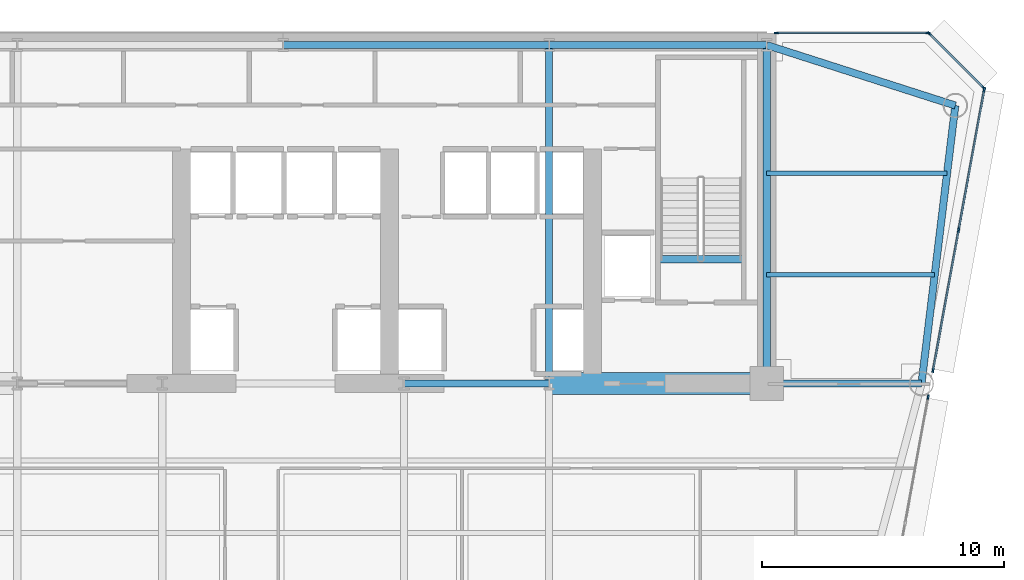
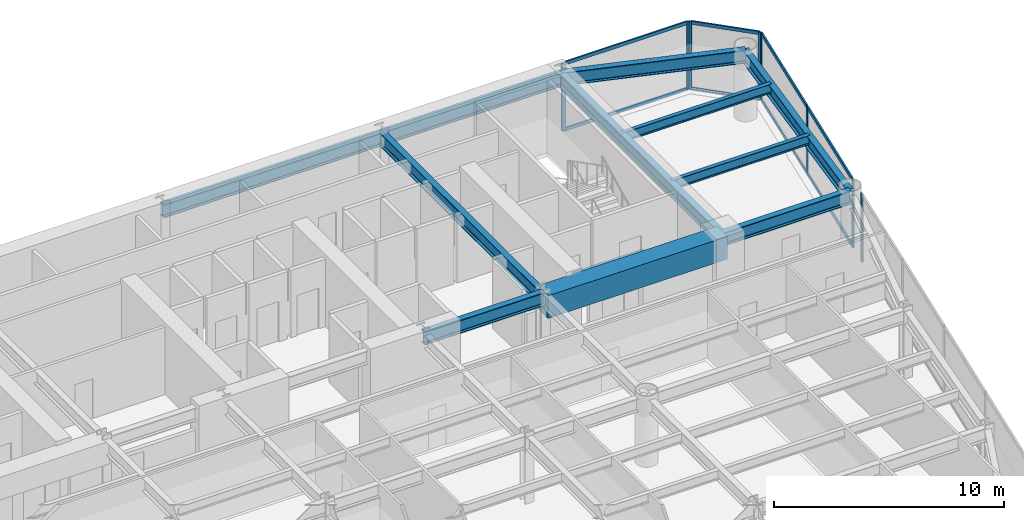
# One storey, part 6 of 14: 16 members, 12 beams, 4 elements without a shape of their own.
"""IFC4 building model written with IfcOpenShell, lengths in metres."""

from ifc_helpers import new_model, si_unit, direction, frame, origin, origin_2d, place, context, subcontext, project, spatial, rectangle, i_section, extrude, source, transform, mapped, material, layer, layer_set, material_profile, profile_set, type_object, element, aggregate, save


model = new_model("IFC4")

# Units and contexts
model_context = context("Model", 3, precision=1e-05, world=origin(), true_north=direction((0.0, 1.0)))
body_context = subcontext(model_context, "Body", "Model", "MODEL_VIEW")
ifc_project = project(units=[si_unit("LENGTHUNIT", "METRE"), si_unit("AREAUNIT", "SQUARE_METRE"), si_unit("VOLUMEUNIT", "CUBIC_METRE"), si_unit("PLANEANGLEUNIT", "RADIAN"), si_unit("MASSUNIT", "GRAM", prefix="KILO")], contexts=[model_context])

# Site, building, storey
site_placement = place(None, origin())
site = spatial("IfcSite", under=ifc_project, at=site_placement, CompositionType="ELEMENT")
building_placement = place(site_placement, origin())
building = spatial("IfcBuilding", under=site, at=building_placement, Name="Vaeldorn Concourse Tower", CompositionType="ELEMENT")
storey_placement = place(building_placement, frame((0.0, 0.0, 111.0)))
storey = spatial("IfcBuildingStorey", under=building, at=storey_placement, Name="L28", CompositionType="ELEMENT", Elevation=111.0)

# Beams
ifc_material_1 = material(Name="Concrete C60/75", Category="concrete")
ifc_material_profile_1 = material_profile(ifc_material_1, rectangle(XDim=0.89990234375, YDim=1.199951171875, at=origin_2d()), Name="RC 900x1200")
ifc_profile_set_1 = profile_set([ifc_material_profile_1], Name="Concrete C60/75")
beam_type_1 = type_object("IfcBeamType", Name="BM-CB-RC900", PredefinedType="BEAM", material=ifc_profile_set_1)
shared_shape_1 = source(origin(), body_context, "Body", "SweptSolid", [
    extrude(rectangle(XDim=0.89990234375, YDim=1.199951171875, at=origin_2d()), origin(), (0.0, 0.0, 1.0), 9.0),
])
beam_1_placement = place(storey_placement, frame((45.0, 36.5, 2.97998046875), z_axis=(1.0, 0.0, 0.0), x_axis=(0.0, 1.0, 0.0)))
element("IfcBeam", 1, at=beam_1_placement, inside=storey, type_object=beam_type_1, Name="Core Coupling Beam L28-2", PredefinedType="BEAM", context=body_context, shape_type="MappedRepresentation", body=[
    mapped(shared_shape_1, transform((0.0, 0.0, 0.0), scale=1.0)),
])
ifc_material_2 = material(Name="Steel S355", Category="steel")
ifc_material_profile_2 = material_profile(ifc_material_2, i_section(OverallWidth=0.300048828125, OverallDepth=0.340087890625, WebThickness=0.011962890625, FlangeThickness=0.021484375, FilletRadius=0.027099609375, at=origin_2d()), Name="HEB 340")
ifc_profile_set_2 = profile_set([ifc_material_profile_2], Name="Steel S355")
beam_type_2 = type_object("IfcBeamType", Name="BM-ST-TRIM", PredefinedType="BEAM", material=ifc_profile_set_2)
shared_shape_2 = source(origin(), body_context, "Body", "SweptSolid", [
    extrude(i_section(OverallWidth=0.300048828125, OverallDepth=0.340087890625, WebThickness=0.011962890625, FlangeThickness=0.021484375, FilletRadius=0.027099609375, at=origin_2d()), origin(), (0.0, 0.0, 1.0), 3.590087890625),
])
beam_2_placement = place(storey_placement, frame((49.47998046875, 41.639892578125, -0.389892578125), z_axis=(1.0, 0.0, 0.0), x_axis=(0.0, 1.0, 0.0)))
element("IfcBeam", 2, at=beam_2_placement, inside=storey, type_object=beam_type_2, Name="Stair Landing Trimmer Beam ST-2 L28", PredefinedType="BEAM", context=body_context, shape_type="MappedRepresentation", body=[
    mapped(shared_shape_2, transform((0.0, 0.0, 0.0), scale=1.0)),
])
ifc_material_profile_3 = material_profile(ifc_material_2, i_section(OverallWidth=0.199951171875, OverallDepth=0.5, WebThickness=0.01025390625, FlangeThickness=0.01611328125, FilletRadius=0.02099609375, at=origin_2d()), Name="IPE 500")
ifc_profile_set_3 = profile_set([ifc_material_profile_3], Name="Steel S355")
beam_type_3 = type_object("IfcBeamType", Name="BM-JS-IPE500", PredefinedType="JOIST", material=ifc_profile_set_3)
shared_shape_3 = source(origin(), body_context, "Body", "SweptSolid", [
    extrude(i_section(OverallWidth=0.199951171875, OverallDepth=0.5, WebThickness=0.01025390625, FlangeThickness=0.01611328125, FilletRadius=0.02099609375, at=origin_2d()), origin(), (0.0, 0.0, 1.0), 6.94775390625),
])
beam_3_placement = place(storey_placement, frame((54.0, 41.0, 3.330078125), z_axis=(1.0, 0.0, 0.0), x_axis=(0.0, 1.0, 0.0)))
element("IfcBeam", 3, at=beam_3_placement, inside=storey, type_object=beam_type_3, Name="Beam JS-L28-NE-410", PredefinedType="JOIST", context=body_context, shape_type="MappedRepresentation", body=[
    mapped(shared_shape_3, transform((0.0, 0.0, 0.0), scale=1.0)),
])
shared_shape_4 = source(origin(), body_context, "Body", "SweptSolid", [
    extrude(i_section(OverallWidth=0.199951171875, OverallDepth=0.5, WebThickness=0.01025390625, FlangeThickness=0.01611328125, FilletRadius=0.02099609375, at=origin_2d()), origin(), (0.0, 0.0, 1.0), 7.458984375),
])
beam_4_placement = place(storey_placement, frame((54.0, 45.199951171875, 3.330078125), z_axis=(1.0, 0.0, 0.0), x_axis=(0.0, 1.0, 0.0)))
element("IfcBeam", 4, at=beam_4_placement, inside=storey, type_object=beam_type_3, Name="Beam JS-L28-NE-452", PredefinedType="JOIST", context=body_context, shape_type="MappedRepresentation", body=[
    mapped(shared_shape_4, transform((0.0, 0.0, 0.0), scale=1.0)),
])
ifc_material_profile_4 = material_profile(ifc_material_2, i_section(OverallWidth=0.300048828125, OverallDepth=0.699951171875, WebThickness=0.01708984375, FlangeThickness=0.031982421875, FilletRadius=0.027099609375, at=origin_2d()), Name="HEB 700")
ifc_profile_set_4 = profile_set([ifc_material_profile_4], Name="Steel S355")
beam_type_4 = type_object("IfcBeamType", Name="BM-PG-HEB700", PredefinedType="BEAM", material=ifc_profile_set_4)
shared_shape_5 = source(origin(), body_context, "Body", "SweptSolid", [
    extrude(i_section(OverallWidth=0.300048828125, OverallDepth=0.699951171875, WebThickness=0.01708984375, FlangeThickness=0.031982421875, FilletRadius=0.027099609375, at=origin_2d()), origin(), (0.0, 0.0, 1.0), 6.0),
])
beam_5_placement = place(storey_placement, frame((39.0, 36.5, 3.22998046875), z_axis=(1.0, 0.0, 0.0), x_axis=(0.0, 1.0, 0.0)))
element("IfcBeam", 5, at=beam_5_placement, inside=storey, type_object=beam_type_4, Name="Beam BM-L28-C-FC4-C-FC5", PredefinedType="BEAM", context=body_context, shape_type="MappedRepresentation", body=[
    mapped(shared_shape_5, transform((0.0, 0.0, 0.0), scale=1.0)),
])
shared_shape_6 = source(origin(), body_context, "Body", "SweptSolid", [
    extrude(i_section(OverallWidth=0.300048828125, OverallDepth=0.699951171875, WebThickness=0.01708984375, FlangeThickness=0.031982421875, FilletRadius=0.027099609375, at=origin_2d()), origin(), (0.0, 0.0, 1.0), 9.0),
])
beam_6_placement = place(storey_placement, frame((45.0, 50.5, 3.22998046875), z_axis=(1.0, 0.0, 0.0), x_axis=(0.0, 1.0, 0.0)))
element("IfcBeam", 6, at=beam_6_placement, inside=storey, type_object=beam_type_4, Name="Beam BM-L28-C-HC4-C-HC5", PredefinedType="BEAM", context=body_context, shape_type="MappedRepresentation", body=[
    mapped(shared_shape_6, transform((0.0, 0.0, 0.0), scale=1.0)),
])
shared_shape_7 = source(origin(), body_context, "Body", "SweptSolid", [
    extrude(i_section(OverallWidth=0.300048828125, OverallDepth=0.699951171875, WebThickness=0.01708984375, FlangeThickness=0.031982421875, FilletRadius=0.027099609375, at=origin_2d()), origin(), (0.0, 0.0, 1.0), 11.0),
])
beam_7_placement = place(storey_placement, frame((34.0, 50.5, 3.22998046875), z_axis=(1.0, 0.0, 0.0), x_axis=(0.0, 1.0, 0.0)))
element("IfcBeam", 7, at=beam_7_placement, inside=storey, type_object=beam_type_4, Name="Beam BM-L28-C-HC3-C-HC4", PredefinedType="BEAM", context=body_context, shape_type="MappedRepresentation", body=[
    mapped(shared_shape_7, transform((0.0, 0.0, 0.0), scale=1.0)),
])
shared_shape_8 = source(origin(), body_context, "Body", "SweptSolid", [
    extrude(i_section(OverallWidth=0.300048828125, OverallDepth=0.699951171875, WebThickness=0.01708984375, FlangeThickness=0.031982421875, FilletRadius=0.027099609375, at=origin_2d()), origin(), (0.0, 0.0, 1.0), 14.0),
])
for number, where, z_axis, x_axis, name in (
    (8, (45.0, 36.5, 3.22998046875), (0.0, 1.0, 0.0), (-1.0, 0.0, 0.0), "Beam BM-L28-C-FC5-C-HC4"),
    (9, (54.0, 36.5, 3.22998046875), (0.0, 1.0, 0.0), (-1.0, 0.0, 0.0), "Beam BM-L28-C-FC6-C-HC5"),
):
    element("IfcBeam", number, at=place(storey_placement, frame(where, z_axis=z_axis, x_axis=x_axis)), inside=storey, type_object=beam_type_4, Name=name, PredefinedType="BEAM", context=body_context, shape_type="MappedRepresentation", body=[
        mapped(shared_shape_8, transform((0.0, 0.0, 0.0), scale=1.0)),
    ])
shared_shape_9 = source(origin(), body_context, "Body", "SweptSolid", [
    extrude(i_section(OverallWidth=0.300048828125, OverallDepth=0.699951171875, WebThickness=0.01708984375, FlangeThickness=0.031982421875, FilletRadius=0.027099609375, at=origin_2d()), origin(), (0.0, 0.0, 1.0), 8.19091796875),
])
beam_8_placement = place(storey_placement, frame((54.0, 50.5, 3.22998046875), z_axis=(0.952282843383, -0.305216949396, 0.0), x_axis=(0.305216949396, 0.952282843383, 0.0)))
element("IfcBeam", 10, at=beam_8_placement, inside=storey, type_object=beam_type_4, Name="Beam BM-L28-C-HC5-C-NE1", PredefinedType="BEAM", context=body_context, shape_type="MappedRepresentation", body=[
    mapped(shared_shape_9, transform((0.0, 0.0, 0.0), scale=1.0)),
])
shared_shape_10 = source(origin(), body_context, "Body", "SweptSolid", [
    extrude(i_section(OverallWidth=0.300048828125, OverallDepth=0.699951171875, WebThickness=0.01708984375, FlangeThickness=0.031982421875, FilletRadius=0.027099609375, at=origin_2d()), origin(), (0.0, 0.0, 1.0), 11.5849609375),
])
beam_9_placement = place(storey_placement, frame((61.800048828125, 48.0, 3.22998046875), z_axis=(-0.120859382899, -0.992669637677, 0.0), x_axis=(0.992669637677, -0.120859382899, 0.0)))
element("IfcBeam", 11, at=beam_9_placement, inside=storey, type_object=beam_type_4, Name="Beam BM-L28-C-NE1-C-NE2", PredefinedType="BEAM", context=body_context, shape_type="MappedRepresentation", body=[
    mapped(shared_shape_10, transform((0.0, 0.0, 0.0), scale=1.0)),
])
shared_shape_11 = source(origin(), body_context, "Body", "SweptSolid", [
    extrude(i_section(OverallWidth=0.300048828125, OverallDepth=0.699951171875, WebThickness=0.01708984375, FlangeThickness=0.031982421875, FilletRadius=0.027099609375, at=origin_2d()), origin(), (0.0, 0.0, 1.0), 6.39990234375),
])
beam_10_placement = place(storey_placement, frame((54.0, 36.5, 3.22998046875), z_axis=(1.0, 0.0, 0.0), x_axis=(0.0, 1.0, 0.0)))
element("IfcBeam", 12, at=beam_10_placement, inside=storey, type_object=beam_type_4, Name="Beam BM-L28-C-FC6-C-NE2", PredefinedType="BEAM", context=body_context, shape_type="MappedRepresentation", body=[
    mapped(shared_shape_11, transform((0.0, 0.0, 0.0), scale=1.0)),
])

# Curtain wall, members
ifc_material_3 = material(Name="Anodised Bronze Aluminium", Category="aluminium")
ifc_layer = layer(ifc_material_3, 0.199951171875)
ifc_layer_set = layer_set([ifc_layer], Name="Anodised Bronze Aluminium")
curtain_wall_type = type_object("IfcCurtainWallType", Name="CW-SYS-02", PredefinedType="NOTDEFINED", material=ifc_layer_set)
curtain_wall_1_placement = place(storey_placement, origin())
curtain_wall_1 = element("IfcCurtainWall", 13, at=curtain_wall_1_placement, inside=storey, type_object=curtain_wall_type, Name="Unitised Curtain Wall CW-L28-E08-1", PredefinedType="NOTDEFINED")
ifc_material_profile_5 = material_profile(ifc_material_3, rectangle(XDim=0.074951171875, YDim=0.179931640625, at=origin_2d()), Name="CWT 75x180")
ifc_profile_set_5 = profile_set([ifc_material_profile_5], Name="Anodised Bronze Aluminium")
member_type_1 = type_object("IfcMemberType", Name="CWT-BRONZE-180", PredefinedType="USERDEFINED", material=ifc_profile_set_5)
shared_shape_12 = source(origin(), body_context, "Body", "SweptSolid", [
    extrude(rectangle(XDim=0.074951171875, YDim=0.179931640625, at=origin_2d()), origin(), (0.0, 0.0, 1.0), 3.10302734375),
])
member_1_placement = place(storey_placement, frame((62.947021484375, 48.7529296875, 0.03759765625), z_axis=(-0.707106781187, 0.707106781187, 0.0), x_axis=(-0.707106781187, -0.707106781187, 0.0)))
member_1 = element("IfcMember", 14, at=member_1_placement, type_object=member_type_1, Name="CW-02 transom 1.1", ObjectType="TRANSOM", PredefinedType="USERDEFINED", context=body_context, shape_type="MappedRepresentation", body=[
    mapped(shared_shape_12, transform((0.0, 0.0, 0.0), scale=1.0)),
])
member_2_placement = place(storey_placement, frame((62.947021484375, 48.7529296875, 3.54248046875), z_axis=(-0.707106781187, 0.707106781187, 0.0), x_axis=(-0.707106781187, -0.707106781187, 0.0)))
member_2 = element("IfcMember", 15, at=member_2_placement, type_object=member_type_1, Name="CW-02 transom 1.2", ObjectType="TRANSOM", PredefinedType="USERDEFINED", context=body_context, shape_type="MappedRepresentation", body=[
    mapped(shared_shape_12, transform((0.0, 0.0, 0.0), scale=1.0)),
])

# Curtain wall, member
curtain_wall_2_placement = place(storey_placement, origin())
curtain_wall_2 = element("IfcCurtainWall", 16, at=curtain_wall_2_placement, inside=storey, type_object=curtain_wall_type, Name="Unitised Curtain Wall CW-L28-E07-1", PredefinedType="NOTDEFINED")
ifc_material_profile_6 = material_profile(ifc_material_3, rectangle(XDim=0.074951171875, YDim=0.18994140625, at=origin_2d()), Name="CWM 75x190")
ifc_profile_set_6 = profile_set([ifc_material_profile_6], Name="Anodised Bronze Aluminium")
member_type_2 = type_object("IfcMemberType", Name="CWM-BRONZE-190", PredefinedType="MULLION", material=ifc_profile_set_6)
shared_shape_13 = source(origin(), body_context, "Body", "SweptSolid", [
    extrude(rectangle(XDim=0.074951171875, YDim=0.18994140625, at=origin_2d()), origin(), (0.0, 0.0, 1.0), 3.580078125),
])
member_3_placement = place(storey_placement, frame((60.6767578125, 35.945068359375, 0.0), z_axis=(0.0, 0.0, 1.0), x_axis=(-0.983811547347, 0.179206136352, 0.0)))
member_3 = element("IfcMember", 17, at=member_3_placement, type_object=member_type_2, Name="CW-02 mullion 7", PredefinedType="MULLION", context=body_context, shape_type="MappedRepresentation", body=[
    mapped(shared_shape_13, transform((0.0, 0.0, 0.0), scale=1.0)),
])
aggregate(curtain_wall_2, [member_3])

# Curtain wall, members
curtain_wall_3_placement = place(storey_placement, origin())
curtain_wall_3 = element("IfcCurtainWall", 18, at=curtain_wall_3_placement, inside=storey, type_object=curtain_wall_type, Name="Unitised Curtain Wall CW-L28-E07-2", PredefinedType="NOTDEFINED")
member_4_placement = place(storey_placement, frame((60.87890625, 37.054931640625, 0.0), z_axis=(0.0, 0.0, 1.0), x_axis=(-0.983812052826, 0.179203361335, 0.0)))
member_4 = element("IfcMember", 19, at=member_4_placement, type_object=member_type_2, Name="CW-02 mullion 1", PredefinedType="MULLION", context=body_context, shape_type="MappedRepresentation", body=[
    mapped(shared_shape_13, transform((0.0, 0.0, 0.0), scale=1.0)),
])
member_5_placement = place(storey_placement, frame((61.93603515625, 42.85888671875, 0.0), z_axis=(0.0, 0.0, 1.0), x_axis=(-0.983812052826, 0.179203361335, 0.0)))
member_5 = element("IfcMember", 20, at=member_5_placement, type_object=member_type_2, Name="CW-02 mullion 2", PredefinedType="MULLION", context=body_context, shape_type="MappedRepresentation", body=[
    mapped(shared_shape_13, transform((0.0, 0.0, 0.0), scale=1.0)),
])
member_6_placement = place(storey_placement, frame((62.9931640625, 48.6630859375, 0.0), z_axis=(0.0, 0.0, 1.0), x_axis=(-0.983812052826, 0.179203361335, 0.0)))
member_6 = element("IfcMember", 21, at=member_6_placement, type_object=member_type_2, Name="CW-02 mullion 3", PredefinedType="MULLION", context=body_context, shape_type="MappedRepresentation", body=[
    mapped(shared_shape_13, transform((0.0, 0.0, 0.0), scale=1.0)),
])

# Member
member_7_placement = place(storey_placement, frame((62.973388671875, 48.7265625, 0.0), z_axis=(0.0, 0.0, 1.0), x_axis=(-0.707106781187, -0.707106781187, 0.0)))
member_7 = element("IfcMember", 22, at=member_7_placement, type_object=member_type_2, Name="CW-02 mullion 1", PredefinedType="MULLION", context=body_context, shape_type="MappedRepresentation", body=[
    mapped(shared_shape_13, transform((0.0, 0.0, 0.0), scale=1.0)),
])

member_8_placement = place(storey_placement, frame((60.7265625, 50.973388671875, 0.0), z_axis=(0.0, 0.0, 1.0), x_axis=(-0.707106781187, -0.707106781187, 0.0)))
member_8 = element("IfcMember", 23, at=member_8_placement, type_object=member_type_2, Name="CW-02 mullion 2", PredefinedType="MULLION", context=body_context, shape_type="MappedRepresentation", body=[
    mapped(shared_shape_13, transform((0.0, 0.0, 0.0), scale=1.0)),
])

aggregate(curtain_wall_1, [member_7, member_8, member_1, member_2])

# Curtain wall, members
curtain_wall_4_placement = place(storey_placement, origin())
curtain_wall_4 = element("IfcCurtainWall", 24, at=curtain_wall_4_placement, inside=storey, type_object=curtain_wall_type, Name="Unitised Curtain Wall CW-L28-E09-1", PredefinedType="NOTDEFINED")
member_9_placement = place(storey_placement, frame((60.66259765625, 51.0, 0.0), z_axis=(0.0, 0.0, 1.0), x_axis=(0.0, -1.0, 0.0)))
member_9 = element("IfcMember", 25, at=member_9_placement, type_object=member_type_2, Name="CW-02 mullion 1", PredefinedType="MULLION", context=body_context, shape_type="MappedRepresentation", body=[
    mapped(shared_shape_13, transform((0.0, 0.0, 0.0), scale=1.0)),
])
member_10_placement = place(storey_placement, frame((54.407470703125, 51.0, 0.0), z_axis=(0.0, 0.0, 1.0), x_axis=(0.0, -1.0, 0.0)))
member_10 = element("IfcMember", 26, at=member_10_placement, type_object=member_type_2, Name="CW-02 mullion 2", PredefinedType="MULLION", context=body_context, shape_type="MappedRepresentation", body=[
    mapped(shared_shape_13, transform((0.0, 0.0, 0.0), scale=1.0)),
])
shared_shape_14 = source(origin(), body_context, "Body", "SweptSolid", [
    extrude(rectangle(XDim=0.074951171875, YDim=0.179931640625, at=origin_2d()), origin(), (0.0, 0.0, 1.0), 6.179931640625),
])
member_11_placement = place(storey_placement, frame((60.625, 51.0, 0.03759765625), z_axis=(-1.0, 0.0, 0.0), x_axis=(0.0, -1.0, 0.0)))
member_11 = element("IfcMember", 27, at=member_11_placement, type_object=member_type_1, Name="CW-02 transom 1.1", ObjectType="TRANSOM", PredefinedType="USERDEFINED", context=body_context, shape_type="MappedRepresentation", body=[
    mapped(shared_shape_14, transform((0.0, 0.0, 0.0), scale=1.0)),
])
member_12_placement = place(storey_placement, frame((60.625, 51.0, 3.54248046875), z_axis=(-1.0, 0.0, 0.0), x_axis=(0.0, -1.0, 0.0)))
member_12 = element("IfcMember", 28, at=member_12_placement, type_object=member_type_1, Name="CW-02 transom 1.2", ObjectType="TRANSOM", PredefinedType="USERDEFINED", context=body_context, shape_type="MappedRepresentation", body=[
    mapped(shared_shape_14, transform((0.0, 0.0, 0.0), scale=1.0)),
])
aggregate(curtain_wall_4, [member_9, member_10, member_11, member_12])

# Member
shared_shape_15 = source(origin(), body_context, "Body", "SweptSolid", [
    extrude(rectangle(XDim=0.074951171875, YDim=0.179931640625, at=origin_2d()), origin(), (0.0, 0.0, 1.0), 5.824462890625),
])
member_13_placement = place(storey_placement, frame((60.885498046875, 37.091796875, 0.03759765625), z_axis=(0.179232154965, 0.983806807573, 0.0), x_axis=(-0.983806807573, 0.179232154965, 0.0)))
member_13 = element("IfcMember", 29, at=member_13_placement, type_object=member_type_1, Name="CW-02 transom 1.1", ObjectType="TRANSOM", PredefinedType="USERDEFINED", context=body_context, shape_type="MappedRepresentation", body=[
    mapped(shared_shape_15, transform((0.0, 0.0, 0.0), scale=1.0)),
])

member_14_placement = place(storey_placement, frame((60.885498046875, 37.091796875, 3.54248046875), z_axis=(0.179232154965, 0.983806807573, 0.0), x_axis=(-0.983806807573, 0.179232154965, 0.0)))
member_14 = element("IfcMember", 30, at=member_14_placement, type_object=member_type_1, Name="CW-02 transom 1.2", ObjectType="TRANSOM", PredefinedType="USERDEFINED", context=body_context, shape_type="MappedRepresentation", body=[
    mapped(shared_shape_15, transform((0.0, 0.0, 0.0), scale=1.0)),
])

member_15_placement = place(storey_placement, frame((61.94287109375, 42.89599609375, 0.03759765625), z_axis=(0.179191585174, 0.983814197805, 0.0), x_axis=(-0.983814197805, 0.179191585174, 0.0)))
member_15 = element("IfcMember", 31, at=member_15_placement, type_object=member_type_1, Name="CW-02 transom 2.1", ObjectType="TRANSOM", PredefinedType="USERDEFINED", context=body_context, shape_type="MappedRepresentation", body=[
    mapped(shared_shape_15, transform((0.0, 0.0, 0.0), scale=1.0)),
])

member_16_placement = place(storey_placement, frame((61.94287109375, 42.89599609375, 3.54248046875), z_axis=(0.179191585174, 0.983814197805, 0.0), x_axis=(-0.983814197805, 0.179191585174, 0.0)))
member_16 = element("IfcMember", 32, at=member_16_placement, type_object=member_type_1, Name="CW-02 transom 2.2", ObjectType="TRANSOM", PredefinedType="USERDEFINED", context=body_context, shape_type="MappedRepresentation", body=[
    mapped(shared_shape_15, transform((0.0, 0.0, 0.0), scale=1.0)),
])

aggregate(curtain_wall_3, [member_4, member_5, member_6, member_13, member_14, member_15, member_16])

save(model, "model.ifc")
